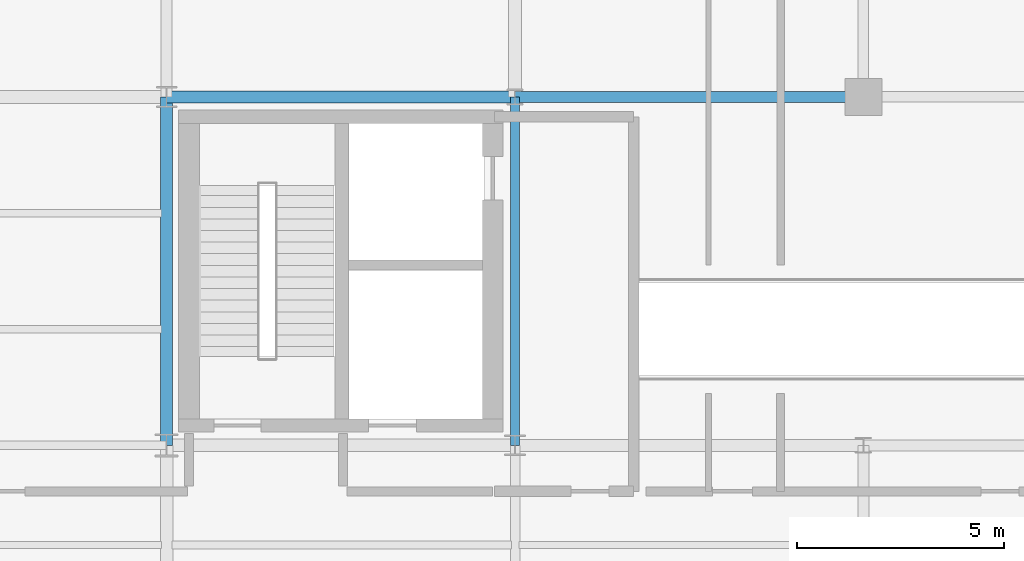
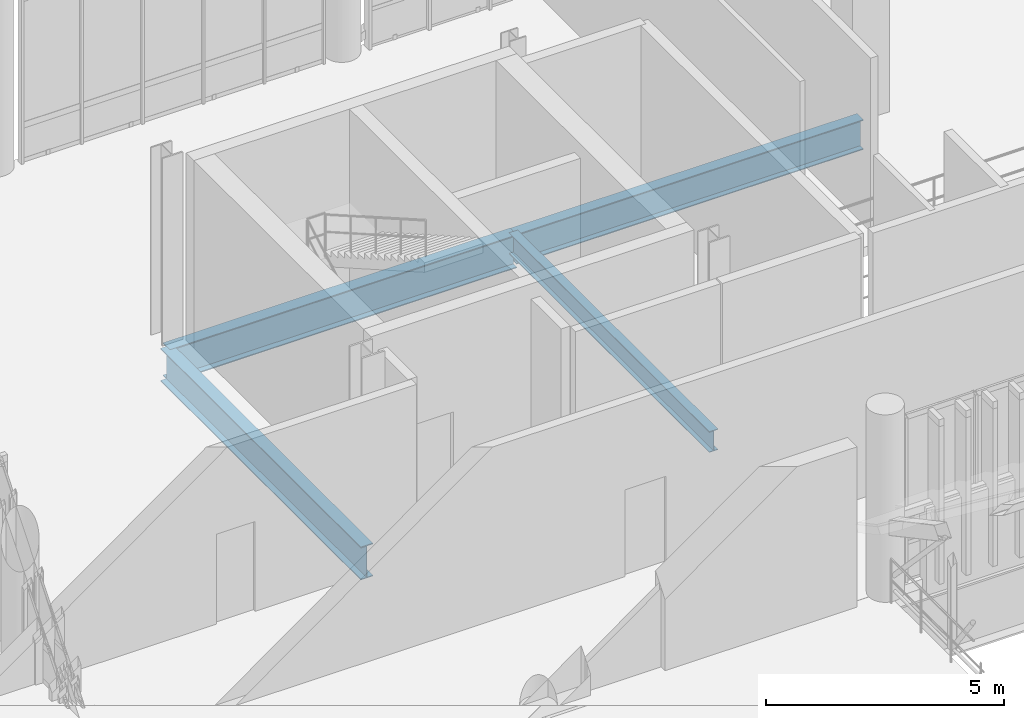
# One storey, part 40 of 109: 4 beams.
"""IFC4 building model written with IfcOpenShell, lengths in metres."""

import ifcopenshell
import ifcopenshell.guid

model = None  # the IFC model being written
_history = None  # IfcOwnerHistory: only IFC2X3 demands one
_inside = {}  # id of a spatial element -> (the spatial element, [elements in it])
_under = {}  # id of a project, library or spatial element -> (it, [spatial elements below it])
_declared = {}  # id of a project -> (the project, [libraries it declares])
_typed = {}  # id of a type object -> (the type object, [elements of that type])
_made_of = {}  # id of a material, layer set ... -> (it, [elements and type objects made of it])


def new_model(schema):
    """Start an empty IFC model of exactly this schema.

    Asked for "IFC4X3", IfcOpenShell would pick the latest addendum, in which some entities
    have other attributes; the version numbers below select the first issue.
    IFC2X3 requires an IfcOwnerHistory on every rooted entity: one is made here for all.
    """
    global model, _history
    if schema == "IFC4X3":
        model = ifcopenshell.file(schema_version=(4, 3, 0, 0))
    else:
        model = ifcopenshell.file(schema=schema)
    _inside.clear()
    _under.clear()
    _declared.clear()
    _typed.clear()
    _made_of.clear()
    _history = None
    if model.schema == "IFC2X3":
        org = make("IfcOrganization", Name="unknown")
        user = make(
            "IfcPersonAndOrganization",
            ThePerson=make("IfcPerson", FamilyName="unknown"),
            TheOrganization=org,
        )
        app = make(
            "IfcApplication",
            ApplicationDeveloper=org,
            Version="unknown",
            ApplicationFullName="unknown",
            ApplicationIdentifier="unknown",
        )
        _history = make(
            "IfcOwnerHistory",
            OwningUser=user,
            OwningApplication=app,
            ChangeAction="ADDED",
            CreationDate=0,
        )
    return model


def make(cls, **values):
    """One entity of the class cls with the attributes given. An attribute that is None is left unset."""
    return model.create_entity(
        cls, **{name: value for name, value in values.items() if value is not None}
    )


def rooted(cls, **values):
    """An entity with a GlobalId (a new one), such as an element, a storey or a relation."""
    return make(cls, GlobalId=ifcopenshell.guid.new(), OwnerHistory=_history, **values)


def si_unit(unit_type, name, prefix=None):
    """IfcSIUnit, for example si_unit("LENGTHUNIT", "METRE", prefix="MILLI")."""
    return make("IfcSIUnit", UnitType=unit_type, Prefix=prefix, Name=name)


def assignment(units):
    """IfcUnitAssignment: the units of a project."""
    return None if units is None else make("IfcUnitAssignment", Units=units)


def point(xyz):
    """IfcCartesianPoint."""
    return None if xyz is None else make("IfcCartesianPoint", Coordinates=xyz)


def direction(xyz):
    """IfcDirection."""
    return None if xyz is None else make("IfcDirection", DirectionRatios=xyz)


def frame(location, z_axis=None, x_axis=None):
    """IfcAxis2Placement3D, a coordinate frame: its origin and axes. An axis left out is left unset."""
    return make(
        "IfcAxis2Placement3D",
        Location=point(location),
        Axis=direction(z_axis),
        RefDirection=direction(x_axis),
    )


def frame_2d(location, x_axis=None):
    """IfcAxis2Placement2D, a coordinate frame in the plane: its origin and x axis."""
    return make(
        "IfcAxis2Placement2D", Location=point(location), RefDirection=direction(x_axis)
    )


def origin_with_axes():
    """The frame at (0, 0, 0) with the z axis (0, 0, 1) and the x axis (1, 0, 0) written out."""
    return frame((0.0, 0.0, 0.0), z_axis=(0.0, 0.0, 1.0), x_axis=(1.0, 0.0, 0.0))


def origin_2d_with_axis():
    """The frame at (0, 0) in the plane with the x axis (1, 0) written out."""
    return frame_2d((0.0, 0.0), x_axis=(1.0, 0.0))


def place(relative_to, where):
    """IfcLocalPlacement: puts the frame where relative to a parent placement (None: the world)."""
    return make(
        "IfcLocalPlacement", PlacementRelTo=relative_to, RelativePlacement=where
    )


def context(
    kind, dimensions, precision=None, world=None, true_north=None, identifier=None
):
    """IfcGeometricRepresentationContext, for example the 3D "Model" context."""
    return make(
        "IfcGeometricRepresentationContext",
        ContextIdentifier=identifier,
        ContextType=kind,
        CoordinateSpaceDimension=dimensions,
        Precision=precision,
        WorldCoordinateSystem=world,
        TrueNorth=true_north,
    )


def subcontext(parent, identifier, kind, view, scale=None):
    """IfcGeometricRepresentationSubContext, for example "Body" below "Model"."""
    return make(
        "IfcGeometricRepresentationSubContext",
        ContextIdentifier=identifier,
        ContextType=kind,
        ParentContext=parent,
        TargetScale=scale,
        TargetView=view,
    )


def project(units=None, contexts=None):
    """IfcProject with its units and contexts."""
    return rooted(
        "IfcProject",
        Name="project",
        RepresentationContexts=contexts,
        UnitsInContext=assignment(units),
    )


def spatial(cls, under=None, at=None, **own):
    """A site, building, storey or space (cls), placed at a placement, below another one or the project."""
    s = rooted(cls, ObjectPlacement=at, **own)
    if under is not None:
        _under.setdefault(under.id(), (under, []))[1].append(s)
    return s


def profile(cls, at=None, kind="AREA", **sizes):
    """A parametric profile (cls). Its sizes go by their IFC names, for example OverallWidth=200.0."""
    return make(cls, ProfileType=kind, Position=at, **sizes)


def i_section(**sizes):
    """IfcIShapeProfileDef."""
    return profile("IfcIShapeProfileDef", **sizes)


def extrude(swept, where, along, depth):
    """IfcExtrudedAreaSolid: the profile swept, set in the frame where, extruded along a direction by depth."""
    return make(
        "IfcExtrudedAreaSolid",
        SweptArea=swept,
        Position=where,
        ExtrudedDirection=direction(along),
        Depth=depth,
    )


def shape(context_of_items, identifier, shape_type, items):
    """IfcShapeRepresentation: the items that make up one representation, for example the "Body"."""
    return make(
        "IfcShapeRepresentation",
        ContextOfItems=context_of_items,
        RepresentationIdentifier=identifier,
        RepresentationType=shape_type,
        Items=items,
    )


def material(Name=None, Category=None):
    """IfcMaterial."""
    return make("IfcMaterial", Name=Name, Category=Category)


def material_profile(
    of_material, cross_section, Name=None, Category=None, Priority=None
):
    """IfcMaterialProfile: a cross section and its material."""
    return make(
        "IfcMaterialProfile",
        Name=Name,
        Material=of_material,
        Profile=cross_section,
        Priority=Priority,
        Category=Category,
    )


def profile_set(profiles, Name=None, composite=None):
    """IfcMaterialProfileSet."""
    return make(
        "IfcMaterialProfileSet",
        Name=Name,
        MaterialProfiles=profiles,
        CompositeProfile=composite,
    )


def made_of(thing, what):
    """Note that an element or type object is made of a material, layer set ...; save() writes the relation."""
    if what is not None:
        _made_of.setdefault(what.id(), (what, []))[1].append(thing)
    return thing


def type_object(cls, material=None, **own):
    """A type object (cls), such as IfcWallType, which elements share."""
    return made_of(rooted(cls, **own), material)


def element(
    cls,
    number,
    at=None,
    inside=None,
    cuts=None,
    type_object=None,
    material=None,
    context=None,
    identifier="Body",
    shape_type=None,
    held_by="IfcProductDefinitionShape",
    body=None,
    shapes=None,
    **own,
):
    """One element of the class cls, such as IfcWall. Its Tag is "e" and its number.

    at: its placement. inside: the storey or other place that contains it. cuts: it is an
    opening in that element (IfcRelVoidsElement). A single representation is given by context,
    identifier, shape_type and body (its items); several are given by shapes. held_by: the class
    of the entity that holds the representations. save() writes the other relations.
    """
    e = rooted(cls, Tag="e%d" % number, ObjectPlacement=at, **own)
    if body is not None:
        shapes = [shape(context, identifier, shape_type, body)]
    if shapes is not None:
        e.Representation = make(held_by, Representations=shapes)
    if inside is not None:
        _inside.setdefault(inside.id(), (inside, []))[1].append(e)
    if cuts is not None:
        rooted(
            "IfcRelVoidsElement", RelatingBuildingElement=cuts, RelatedOpeningElement=e
        )
    if type_object is not None:
        _typed.setdefault(type_object.id(), (type_object, []))[1].append(e)
    return made_of(e, material)


def aggregate(whole, parts):
    """IfcRelAggregates: a whole, such as a stair, and the parts it consists of."""
    return rooted("IfcRelAggregates", RelatingObject=whole, RelatedObjects=parts)


def save(model, path):
    """Write the relations noted so far, then the file.

    IfcRelAggregates (storeys below a building ...), IfcRelContainedInSpatialStructure (elements
    in a storey), IfcRelDefinesByType, IfcRelAssociatesMaterial and IfcRelDeclares: one each for
    every whole, place, type object, material and project.
    """
    for whole, parts in _under.values():
        aggregate(whole, parts)
    for where, things in _inside.values():
        rooted(
            "IfcRelContainedInSpatialStructure",
            RelatedElements=things,
            RelatingStructure=where,
        )
    for kind, things in _typed.values():
        rooted("IfcRelDefinesByType", RelatedObjects=things, RelatingType=kind)
    for what, things in _made_of.values():
        rooted("IfcRelAssociatesMaterial", RelatedObjects=things, RelatingMaterial=what)
    for by, libraries in _declared.values():
        rooted("IfcRelDeclares", RelatingContext=by, RelatedDefinitions=libraries)
    model.write(path)


model = new_model("IFC4")

# Units and contexts
model_context = context("Model", 3, precision=1e-05, world=origin_with_axes(), true_north=direction((0.0, 1.0)))
body_context = subcontext(model_context, "Body", "Model", "MODEL_VIEW")
ifc_project = project(units=[si_unit("LENGTHUNIT", "METRE"), si_unit("AREAUNIT", "SQUARE_METRE"), si_unit("VOLUMEUNIT", "CUBIC_METRE"), si_unit("PLANEANGLEUNIT", "RADIAN"), si_unit("MASSUNIT", "GRAM", prefix="KILO"), si_unit("THERMODYNAMICTEMPERATUREUNIT", "KELVIN")], contexts=[model_context])

# Site, building, storey
site_placement = place(None, origin_with_axes())
site = spatial("IfcSite", under=ifc_project, at=site_placement, CompositionType="ELEMENT")
building_placement = place(site_placement, origin_with_axes())
building = spatial("IfcBuilding", under=site, at=building_placement, Name="Montbau Bow Law Courts", CompositionType="ELEMENT")
storey_placement = place(building_placement, frame((0.0, 0.0, 10.8), z_axis=(0.0, 0.0, 1.0), x_axis=(1.0, 0.0, 0.0)))
storey = spatial("IfcBuildingStorey", under=building, at=storey_placement, Name="L02", CompositionType="ELEMENT", Elevation=10.8)

# Beams
ifc_material = material(Name="Steel CSA G40.21 Grade 350W (350 MPa)", Category="steel")
ifc_material_profile_1 = material_profile(ifc_material, i_section(OverallWidth=0.293, OverallDepth=0.846, WebThickness=0.0154, FlangeThickness=0.0244, at=origin_2d_with_axis()), Name="W840X210", Category="Main", Priority=0)
ifc_profile_set_1 = profile_set([ifc_material_profile_1], Name="Steel CSA G40.21 Grade 350W (350 MPa)")
beam_type_1 = type_object("IfcBeamType", Name="B-FLR-02", PredefinedType="BEAM", material=ifc_profile_set_1)
for number, where, z_axis, x_axis, name in (
    (1, (55.2, 54.6, 10.137), (1.0, 0.0, 0.0), (0.0, 1.0, 0.0), "BM-L02-S0846:bm2_0849"),
    (2, (55.2, 46.2, 10.137), (0.0, 1.0, 0.0), (-1.0, 0.0, 0.0), "BM-L02-S0859:bm2_0862"),
):
    element("IfcBeam", number, at=place(None, frame(where, z_axis=z_axis, x_axis=x_axis)), inside=storey, type_object=beam_type_1, Name=name, PredefinedType="BEAM", context=body_context, shape_type="SweptSolid", body=[
        extrude(i_section(OverallWidth=0.293, OverallDepth=0.846, WebThickness=0.0154, FlangeThickness=0.0244, at=origin_2d_with_axis()), origin_with_axes(), (0.0, 0.0, 1.0), 8.4),
    ])
ifc_material_profile_2 = material_profile(ifc_material, i_section(OverallWidth=0.267, OverallDepth=0.766, WebThickness=0.0149, FlangeThickness=0.0236, at=origin_2d_with_axis()), Name="W760X185", Category="Main", Priority=0)
ifc_profile_set_2 = profile_set([ifc_material_profile_2], Name="Steel CSA G40.21 Grade 350W (350 MPa)")
beam_type_2 = type_object("IfcBeamType", Name="B-FLR-03", PredefinedType="BEAM", material=ifc_profile_set_2)
beam_1_placement = place(None, frame((63.6, 54.6, 10.177), z_axis=(1.0, 0.0, 0.0), x_axis=(0.0, 1.0, 0.0)))
element("IfcBeam", 3, at=beam_1_placement, inside=storey, type_object=beam_type_2, Name="BM-L02-S0847:bm2_0850", PredefinedType="BEAM", context=body_context, shape_type="SweptSolid", body=[
    extrude(i_section(OverallWidth=0.267, OverallDepth=0.766, WebThickness=0.0149, FlangeThickness=0.0236, at=origin_2d_with_axis()), origin_with_axes(), (0.0, 0.0, 1.0), 8.4),
])
ifc_material_profile_3 = material_profile(ifc_material, i_section(OverallWidth=0.21, OverallDepth=0.537, WebThickness=0.0109, FlangeThickness=0.0174, at=origin_2d_with_axis()), Name="W530X101", Category="Main", Priority=0)
ifc_profile_set_3 = profile_set([ifc_material_profile_3], Name="Steel CSA G40.21 Grade 350W (350 MPa)")
beam_type_3 = type_object("IfcBeamType", Name="B-FLR-06", PredefinedType="BEAM", material=ifc_profile_set_3)
beam_2_placement = place(None, frame((63.6, 46.2, 10.292), z_axis=(0.0, 1.0, 0.0), x_axis=(-1.0, 0.0, 0.0)))
element("IfcBeam", 4, at=beam_2_placement, inside=storey, type_object=beam_type_3, Name="BM-L02-S0862:bm2_0865", PredefinedType="BEAM", context=body_context, shape_type="SweptSolid", body=[
    extrude(i_section(OverallWidth=0.21, OverallDepth=0.537, WebThickness=0.0109, FlangeThickness=0.0174, at=origin_2d_with_axis()), origin_with_axes(), (0.0, 0.0, 1.0), 8.4),
])

save(model, "model.ifc")
